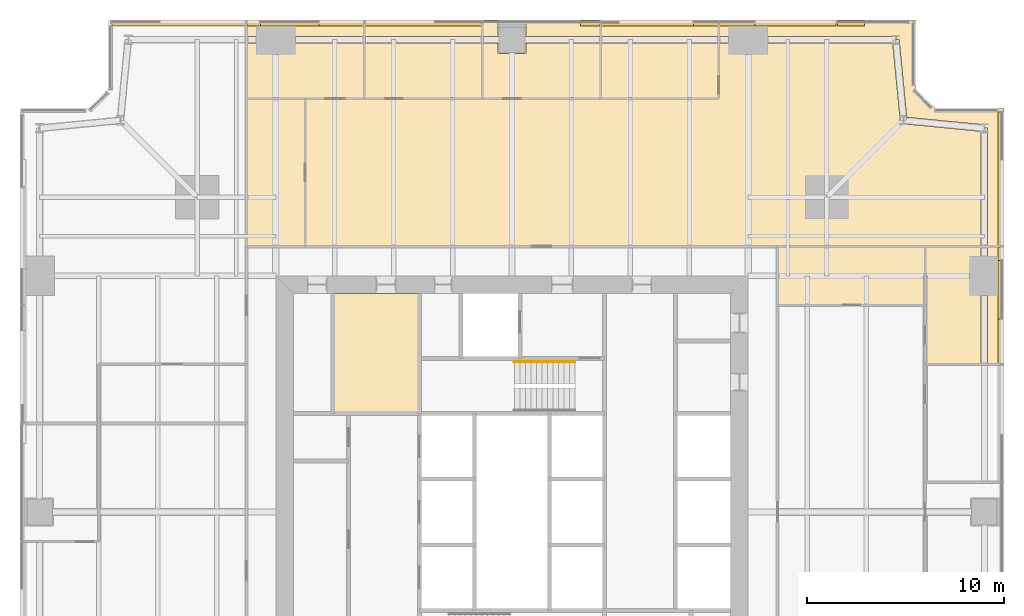
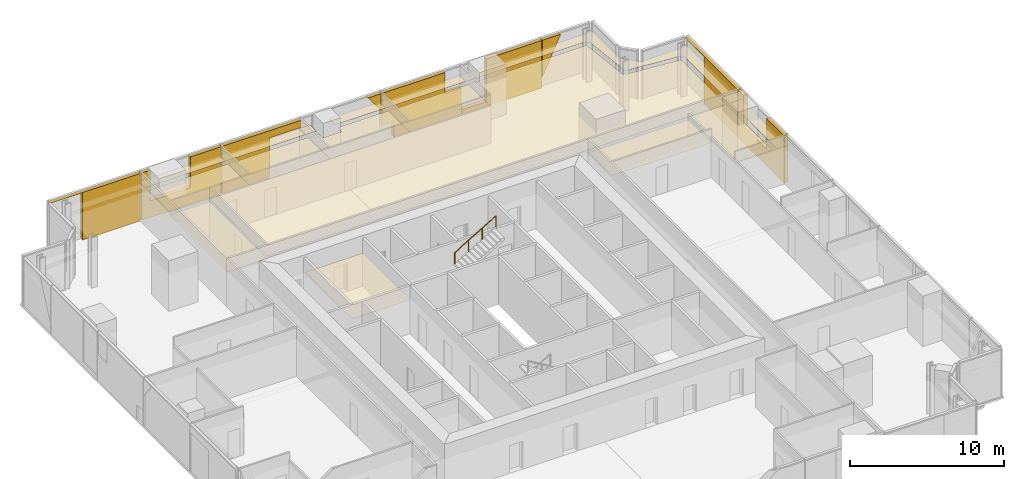
# One storey, part 14 of 14: 25 coverings, 1 railing.
"""IFC4 building model written with IfcOpenShell, lengths in metres."""

from ifc_helpers import new_model, si_unit, direction, frame, origin, origin_2d, place, context, subcontext, project, spatial, polyline, circle, outline, extrude, material, layer, layer_set, type_object, element, save


model = new_model("IFC4")

# Units and contexts
model_context = context("Model", 3, precision=1e-05, world=origin(), true_north=direction((0.0, 1.0)))
body_context = subcontext(model_context, "Body", "Model", "MODEL_VIEW")
ifc_project = project(units=[si_unit("LENGTHUNIT", "METRE"), si_unit("AREAUNIT", "SQUARE_METRE"), si_unit("VOLUMEUNIT", "CUBIC_METRE"), si_unit("PLANEANGLEUNIT", "RADIAN"), si_unit("MASSUNIT", "GRAM", prefix="KILO")], contexts=[model_context])

# Site, building, storey
site_placement = place(None, origin())
site = spatial("IfcSite", under=ifc_project, at=site_placement, CompositionType="ELEMENT")
building_placement = place(site_placement, origin())
building = spatial("IfcBuilding", under=site, at=building_placement, Name="Fenwick Lantern Interchange", CompositionType="ELEMENT")
storey_placement = place(building_placement, frame((0.0, 0.0, 134.39990234375)))
storey = spatial("IfcBuildingStorey", under=building, at=storey_placement, Name="L31", CompositionType="ELEMENT", Elevation=134.39990234375)

# Coverings
ifc_material_1 = material(Name="Mineral fibre acoustic tile on suspended grid")
ifc_layer_1 = layer(ifc_material_1, 0.02001953125)
ifc_layer_set_1 = layer_set([ifc_layer_1], Name="ACOUSTIC TILE CEILING 20")
covering_type_1 = type_object("IfcCoveringType", Name="ACOUSTIC TILE CEILING 20", PredefinedType="CEILING", material=ifc_layer_set_1)
covering_1_placement = place(storey_placement, frame((0.0, 0.0, 2.900146484375)))
element("IfcCovering", 1, at=covering_1_placement, inside=storey, type_object=covering_type_1, Name="Office ceiling", PredefinedType="CEILING", context=body_context, shape_type="SweptSolid", body=[
    extrude(outline(polyline([(46.0, 32.5), (48.82763671875, 32.5), (48.82763671875, 37.0), (48.82763671875, 38.5), (46.0, 38.5), (46.0, 32.5)])), origin(), (0.0, 0.0, 1.0), 0.02001953125),
])
covering_2_placement = place(storey_placement, frame((0.0, 0.0, 2.900146484375)))
element("IfcCovering", 2, at=covering_2_placement, inside=storey, type_object=covering_type_1, Name="Office ceiling", PredefinedType="CEILING", context=body_context, shape_type="SweptSolid", body=[
    extrude(outline(polyline([(50.0, 38.5), (49.17236328125, 38.5), (49.17236328125, 37.0), (49.17236328125, 32.5), (50.0, 32.5), (50.0, 38.5)])), origin(), (0.0, 0.0, 1.0), 0.02001953125),
])
covering_3_placement = place(storey_placement, frame((0.0, 0.0, 2.900146484375)))
element("IfcCovering", 3, at=covering_3_placement, inside=storey, type_object=covering_type_1, Name="Office suite ceiling", PredefinedType="CEILING", context=body_context, shape_type="SweptSolid", body=[
    extrude(outline(polyline([(14.5, 38.5), (48.82763671875, 38.5), (48.82763671875, 44.343505859375), (44.88330078125, 44.728515625), (44.89990234375, 44.89990234375), (44.728515625, 44.88330078125), (44.343505859375, 48.82763671875), (37.0, 48.82763671875), (35.5, 48.82763671875), (35.5, 46.0), (14.5, 46.0), (14.5, 38.5)])), origin(), (0.0, 0.0, 1.0), 0.02001953125),
])
covering_4_placement = place(storey_placement, frame((0.0, 0.0, 2.900146484375)))
element("IfcCovering", 4, at=covering_4_placement, inside=storey, type_object=covering_type_1, Name="Office suite ceiling", PredefinedType="CEILING", context=body_context, shape_type="SweptSolid", body=[
    extrude(outline(polyline([(50.0, 38.5), (50.0, 45.5), (46.5, 45.5), (45.5, 46.5), (45.5, 50.0), (35.5, 50.0), (35.5, 49.17236328125), (37.0, 49.17236328125), (44.5, 49.17236328125), (44.5, 49.0), (44.671630859375, 49.016845703125), (45.057861328125, 45.057861328125), (49.016845703125, 44.671630859375), (49.0, 44.5), (49.17236328125, 44.5), (49.17236328125, 38.5), (50.0, 38.5)])), origin(), (0.0, 0.0, 1.0), 0.02001953125),
])
covering_5_placement = place(storey_placement, frame((0.0, 0.0, 2.900146484375)))
element("IfcCovering", 5, at=covering_5_placement, inside=storey, type_object=covering_type_1, Name="Office ceiling", PredefinedType="CEILING", context=body_context, shape_type="SweptSolid", body=[
    extrude(outline(polyline([(35.5, 46.0), (35.5, 48.82763671875), (29.5, 48.82763671875), (29.5, 46.0), (35.5, 46.0)])), origin(), (0.0, 0.0, 1.0), 0.02001953125),
])
covering_6_placement = place(storey_placement, frame((0.0, 0.0, 2.900146484375)))
element("IfcCovering", 6, at=covering_6_placement, inside=storey, type_object=covering_type_1, Name="Office ceiling", PredefinedType="CEILING", context=body_context, shape_type="SweptSolid", body=[
    extrude(outline(polyline([(29.5, 50.0), (29.5, 49.17236328125), (35.5, 49.17236328125), (35.5, 50.0), (29.5, 50.0)])), origin(), (0.0, 0.0, 1.0), 0.02001953125),
])
covering_7_placement = place(storey_placement, frame((0.0, 0.0, 2.900146484375)))
element("IfcCovering", 7, at=covering_7_placement, inside=storey, type_object=covering_type_1, Name="Office ceiling", PredefinedType="CEILING", context=body_context, shape_type="SweptSolid", body=[
    extrude(outline(polyline([(29.5, 46.0), (29.5, 48.82763671875), (25.699951171875, 48.82763671875), (25.699951171875, 48.300048828125), (24.300048828125, 48.300048828125), (24.300048828125, 48.82763671875), (23.5, 48.82763671875), (23.5, 46.0), (29.5, 46.0)])), origin(), (0.0, 0.0, 1.0), 0.02001953125),
])
covering_8_placement = place(storey_placement, frame((0.0, 0.0, 2.900146484375)))
element("IfcCovering", 8, at=covering_8_placement, inside=storey, type_object=covering_type_1, Name="Office ceiling", PredefinedType="CEILING", context=body_context, shape_type="SweptSolid", body=[
    extrude(outline(polyline([(29.5, 49.17236328125), (29.5, 50.0), (25.699951171875, 50.0), (25.699951171875, 49.17236328125), (29.5, 49.17236328125)])), origin(), (0.0, 0.0, 1.0), 0.02001953125),
])
covering_9_placement = place(storey_placement, frame((0.0, 0.0, 2.900146484375)))
element("IfcCovering", 9, at=covering_9_placement, inside=storey, type_object=covering_type_1, Name="Office ceiling", PredefinedType="CEILING", context=body_context, shape_type="SweptSolid", body=[
    extrude(outline(polyline([(23.5, 50.0), (23.5, 49.17236328125), (24.300048828125, 49.17236328125), (24.300048828125, 50.0), (23.5, 50.0)])), origin(), (0.0, 0.0, 1.0), 0.02001953125),
])
covering_10_placement = place(storey_placement, frame((0.0, 0.0, 2.900146484375)))
element("IfcCovering", 10, at=covering_10_placement, inside=storey, type_object=covering_type_1, Name="Office ceiling", PredefinedType="CEILING", context=body_context, shape_type="SweptSolid", body=[
    extrude(outline(polyline([(23.5, 46.0), (23.5, 48.82763671875), (17.5, 48.82763671875), (17.5, 46.0), (23.5, 46.0)])), origin(), (0.0, 0.0, 1.0), 0.02001953125),
])
covering_11_placement = place(storey_placement, frame((0.0, 0.0, 2.900146484375)))
element("IfcCovering", 11, at=covering_11_placement, inside=storey, type_object=covering_type_1, Name="Office ceiling", PredefinedType="CEILING", context=body_context, shape_type="SweptSolid", body=[
    extrude(outline(polyline([(17.5, 50.0), (17.5, 49.17236328125), (23.5, 49.17236328125), (23.5, 50.0), (17.5, 50.0)])), origin(), (0.0, 0.0, 1.0), 0.02001953125),
])
covering_12_placement = place(storey_placement, frame((0.0, 0.0, 2.900146484375)))
element("IfcCovering", 12, at=covering_12_placement, inside=storey, type_object=covering_type_1, Name="Meeting room ceiling", PredefinedType="CEILING", context=body_context, shape_type="SweptSolid", body=[
    extrude(outline(polyline([(17.5, 46.0), (17.5, 48.82763671875), (13.0, 48.82763671875), (11.5, 48.82763671875), (11.5, 46.0), (17.5, 46.0)])), origin(), (0.0, 0.0, 1.0), 0.02001953125),
])
covering_13_placement = place(storey_placement, frame((0.0, 0.0, 2.900146484375)))
element("IfcCovering", 13, at=covering_13_placement, inside=storey, type_object=covering_type_1, Name="Meeting room ceiling", PredefinedType="CEILING", context=body_context, shape_type="SweptSolid", body=[
    extrude(outline(polyline([(11.5, 50.0), (11.5, 49.17236328125), (13.0, 49.17236328125), (17.5, 49.17236328125), (17.5, 50.0), (11.5, 50.0)])), origin(), (0.0, 0.0, 1.0), 0.02001953125),
])
ifc_material_2 = material(Name="Granite cladding, warm grey flamed finish, on aluminium carrier frame", Category="masonry")
ifc_layer_2 = layer(ifc_material_2, 0.300048828125)
ifc_layer_set_2 = layer_set([ifc_layer_2], Name="BRACE CASING PANEL 300")
covering_type_2 = type_object("IfcCoveringType", Name="BRACE CASING PANEL 300", PredefinedType="CLADDING", material=ifc_layer_set_2)
covering_14_placement = place(storey_placement, frame((49.89990234375, 4.60009765625, 0.0), z_axis=(0.0, 0.0, 1.0), x_axis=(0.0, 1.0, 0.0)))
element("IfcCovering", 14, at=covering_14_placement, inside=storey, type_object=covering_type_2, Name="Brace casing 05 bay 05a", PredefinedType="CLADDING", context=body_context, shape_type="SweptSolid", body=[
    extrude(outline(polyline([(27.9326171875, 0.0), (33.867431640625, 0.0), (33.867431640625, 3.75), (33.18798828125, 3.75), (33.18798828125, 1.316650390625), (30.2080078125, 1.316650390625), (30.2080078125, 3.75), (27.9326171875, 3.75), (27.9326171875, 0.0)])), frame((0.0, 0.2001953125, 0.0), z_axis=(0.0, -1.0, 0.0), x_axis=(1.0, 0.0, 0.0)), (0.0, 0.0, 1.0), 0.300048828125),
])
covering_15_placement = place(storey_placement, frame((49.89990234375, 4.60009765625, 0.0), z_axis=(0.0, 0.0, 1.0), x_axis=(0.0, 1.0, 0.0)))
element("IfcCovering", 15, at=covering_15_placement, inside=storey, type_object=covering_type_2, Name="Brace casing 05 bay 06a", PredefinedType="CLADDING", context=body_context, shape_type="SweptSolid", body=[
    extrude(outline(polyline([(33.9326171875, 0.0), (38.302001953125, 0.0), (38.302001953125, 3.744140625), (40.735107421875, 3.744140625), (40.735107421875, 3.75), (33.9326171875, 3.75), (33.9326171875, 0.0)])), frame((0.0, 0.2001953125, 0.0), z_axis=(0.0, -1.0, 0.0), x_axis=(1.0, 0.0, 0.0)), (0.0, 0.0, 1.0), 0.300048828125),
])
covering_16_placement = place(storey_placement, frame((45.39990234375, 49.89990234375, 0.822509765625), z_axis=(0.0, 0.0, 1.0), x_axis=(-1.0, 0.0, 0.0)))
element("IfcCovering", 16, at=covering_16_placement, inside=storey, type_object=covering_type_2, Name="Brace casing 09 bay 00a", PredefinedType="CLADDING", context=body_context, shape_type="SweptSolid", body=[
    extrude(outline(polyline([(3.867431640625, 0.0), (3.867431640625, 2.927490234375), (2.4951171875, 2.927490234375), (3.867431640625, 0.0)])), frame((0.0, 0.2001953125, 0.0), z_axis=(0.0, -1.0, 0.0), x_axis=(1.0, 0.0, 0.0)), (0.0, 0.0, 1.0), 0.300048828125),
])
covering_17_placement = place(storey_placement, frame((45.39990234375, 49.89990234375, 0.0), z_axis=(0.0, 0.0, 1.0), x_axis=(-1.0, 0.0, 0.0)))
element("IfcCovering", 17, at=covering_17_placement, inside=storey, type_object=covering_type_2, Name="Brace casing 09 bay 01a", PredefinedType="CLADDING", context=body_context, shape_type="SweptSolid", body=[
    extrude(outline(polyline([(3.9326171875, 0.0), (9.867431640625, 0.0), (9.867431640625, 0.358154296875), (8.06103515625, 0.358154296875), (8.06103515625, 3.75), (3.9326171875, 3.75), (3.9326171875, 0.0)])), frame((0.0, 0.2001953125, 0.0), z_axis=(0.0, -1.0, 0.0), x_axis=(1.0, 0.0, 0.0)), (0.0, 0.0, 1.0), 0.300048828125),
])
covering_18_placement = place(storey_placement, frame((45.39990234375, 49.89990234375, 0.0), z_axis=(0.0, 0.0, 1.0), x_axis=(-1.0, 0.0, 0.0)))
element("IfcCovering", 18, at=covering_18_placement, inside=storey, type_object=covering_type_2, Name="Brace casing 09 bay 02a", PredefinedType="CLADDING", context=body_context, shape_type="SweptSolid", body=[
    extrude(outline(polyline([(9.9326171875, 0.0), (14.984375, 0.0), (14.984375, 1.17333984375), (15.867431640625, 1.17333984375), (15.867431640625, 3.75), (11.172607421875, 3.75), (11.172607421875, 2.0908203125), (9.9326171875, 2.0908203125), (9.9326171875, 0.0)])), frame((0.0, 0.2001953125, 0.0), z_axis=(0.0, -1.0, 0.0), x_axis=(1.0, 0.0, 0.0)), (0.0, 0.0, 1.0), 0.300048828125),
])
covering_19_placement = place(storey_placement, frame((45.39990234375, 49.89990234375, 2.4375), z_axis=(0.0, 0.0, 1.0), x_axis=(-1.0, 0.0, 0.0)))
element("IfcCovering", 19, at=covering_19_placement, inside=storey, type_object=covering_type_2, Name="Brace casing 09 bay 03a", PredefinedType="CLADDING", context=body_context, shape_type="SweptSolid", body=[
    extrude(outline(polyline([(15.9326171875, 0.0), (16.9169921875, 1.3125), (15.9326171875, 1.3125), (15.9326171875, 0.0)])), frame((0.0, 0.2001953125, 0.0), z_axis=(0.0, -1.0, 0.0), x_axis=(1.0, 0.0, 0.0)), (0.0, 0.0, 1.0), 0.300048828125),
])
covering_20_placement = place(storey_placement, frame((45.39990234375, 49.89990234375, 0.0), z_axis=(0.0, 0.0, 1.0), x_axis=(-1.0, 0.0, 0.0)))
element("IfcCovering", 20, at=covering_20_placement, inside=storey, type_object=covering_type_2, Name="Brace casing 09 bay 04a", PredefinedType="CLADDING", context=body_context, shape_type="SweptSolid", body=[
    extrude(outline(polyline([(24.3125, 0.0), (27.867431640625, 0.0), (27.867431640625, 3.75), (21.9326171875, 3.75), (21.9326171875, 3.177490234375), (24.3125, 3.177490234375), (24.3125, 0.0)])), frame((0.0, 0.2001953125, 0.0), z_axis=(0.0, -1.0, 0.0), x_axis=(1.0, 0.0, 0.0)), (0.0, 0.0, 1.0), 0.300048828125),
])
covering_21_placement = place(storey_placement, frame((45.39990234375, 49.89990234375, 0.0), z_axis=(0.0, 0.0, 1.0), x_axis=(-1.0, 0.0, 0.0)))
element("IfcCovering", 21, at=covering_21_placement, inside=storey, type_object=covering_type_2, Name="Brace casing 09 bay 05a", PredefinedType="CLADDING", context=body_context, shape_type="SweptSolid", body=[
    extrude(outline(polyline([(27.9326171875, 0.0), (33.867431640625, 0.0), (33.867431640625, 3.75), (33.18798828125, 3.75), (33.18798828125, 1.316650390625), (30.2080078125, 1.316650390625), (30.2080078125, 3.75), (27.9326171875, 3.75), (27.9326171875, 0.0)])), frame((0.0, 0.2001953125, 0.0), z_axis=(0.0, -1.0, 0.0), x_axis=(1.0, 0.0, 0.0)), (0.0, 0.0, 1.0), 0.300048828125),
])
covering_22_placement = place(storey_placement, frame((45.39990234375, 49.89990234375, 0.0), z_axis=(0.0, 0.0, 1.0), x_axis=(-1.0, 0.0, 0.0)))
element("IfcCovering", 22, at=covering_22_placement, inside=storey, type_object=covering_type_2, Name="Brace casing 09 bay 06a", PredefinedType="CLADDING", context=body_context, shape_type="SweptSolid", body=[
    extrude(outline(polyline([(33.9326171875, 0.0), (38.302001953125, 0.0), (38.302001953125, 3.744140625), (40.735107421875, 3.744140625), (40.735107421875, 3.75), (33.9326171875, 3.75), (33.9326171875, 0.0)])), frame((0.0, 0.2001953125, 0.0), z_axis=(0.0, -1.0, 0.0), x_axis=(1.0, 0.0, 0.0)), (0.0, 0.0, 1.0), 0.300048828125),
])

# Railing
ifc_material_3 = material(Name="Stainless steel handrail", Category="steel")
railing_type = type_object("IfcRailingType", Name="HANDRAIL 900", PredefinedType="HANDRAIL", material=ifc_material_3)
railing_placement = place(storey_placement, frame((25.1201171875, 32.6259765625, 2.166748046875)))
element("IfcRailing", 23, at=railing_placement, inside=storey, type_object=railing_type, Name="L31/STAIR/ST2/HR2", PredefinedType="HANDRAIL", context=body_context, shape_type="SweptSolid", body=[
    extrude(circle(Radius=0.02392578125, at=origin_2d()), frame((0.0, 0.0, 0.8759765625), z_axis=(0.859290745958, 0.0, 0.51148745235), x_axis=(0.0, 1.0, 0.0)), (0.0, 0.0, 1.0), 3.584228515625),
    extrude(circle(Radius=0.02099609375, at=origin_2d()), origin(), (0.0, 0.0, 1.0), 0.851806640625),
    extrude(circle(Radius=0.02099609375, at=origin_2d()), frame((1.026611328125, 0.0, 0.611083984375)), (0.0, 0.0, 1.0), 0.851806640625),
    extrude(circle(Radius=0.02099609375, at=origin_2d()), frame((2.05322265625, 0.0, 1.22216796875)), (0.0, 0.0, 1.0), 0.851806640625),
    extrude(circle(Radius=0.02099609375, at=origin_2d()), frame((3.079833984375, 0.0, 1.833251953125)), (0.0, 0.0, 1.0), 0.851806640625),
])

# Coverings
ifc_material_4 = material(Name="Moisture resistant gypsum board on suspended frame, painted")
ifc_layer_3 = layer(ifc_material_4, 0.014892578125)
ifc_layer_set_3 = layer_set([ifc_layer_3], Name="MOISTURE RESISTANT CEILING 15")
covering_type_3 = type_object("IfcCoveringType", Name="MOISTURE RESISTANT CEILING 15", PredefinedType="CEILING", material=ifc_layer_set_3)
covering_23_placement = place(storey_placement, frame((0.0, 0.0, 2.60009765625)))
element("IfcCovering", 24, at=covering_23_placement, inside=storey, type_object=covering_type_3, Name="Women's WC ceiling", PredefinedType="CEILING", context=body_context, shape_type="SweptSolid", body=[
    extrude(outline(polyline([(20.300048828125, 36.10009765625), (15.89990234375, 36.10009765625), (15.89990234375, 30.0), (20.300048828125, 30.0), (20.300048828125, 36.10009765625)])), origin(), (0.0, 0.0, 1.0), 0.014892578125),
])
covering_24_placement = place(storey_placement, frame((0.0, 0.0, 2.7001953125)))
element("IfcCovering", 25, at=covering_24_placement, inside=storey, type_object=covering_type_3, Name="Pantry ceiling", PredefinedType="CEILING", context=body_context, shape_type="SweptSolid", body=[
    extrude(outline(polyline([(46.0, 35.5), (46.0, 38.5), (38.5, 38.5), (38.5, 35.5), (46.0, 35.5)])), origin(), (0.0, 0.0, 1.0), 0.014892578125),
])
covering_25_placement = place(storey_placement, frame((0.0, 0.0, 2.7001953125)))
element("IfcCovering", 26, at=covering_25_placement, inside=storey, type_object=covering_type_3, Name="Pantry ceiling", PredefinedType="CEILING", context=body_context, shape_type="SweptSolid", body=[
    extrude(outline(polyline([(14.5, 46.0), (11.5, 46.0), (11.5, 38.5), (14.5, 38.5), (14.5, 46.0)])), origin(), (0.0, 0.0, 1.0), 0.014892578125),
])

save(model, "model.ifc")
